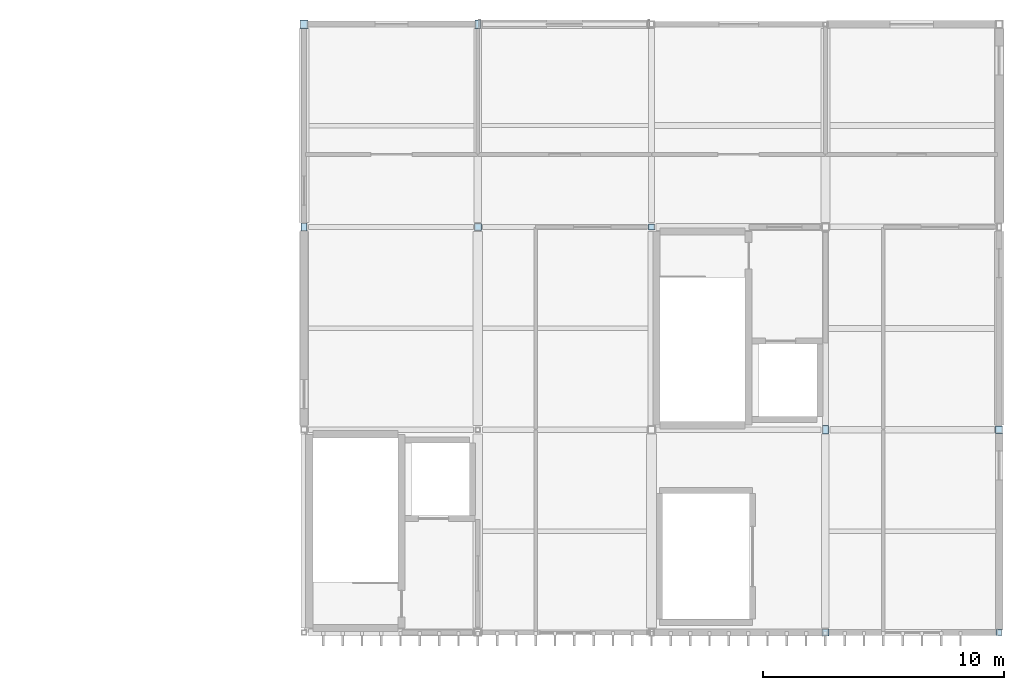
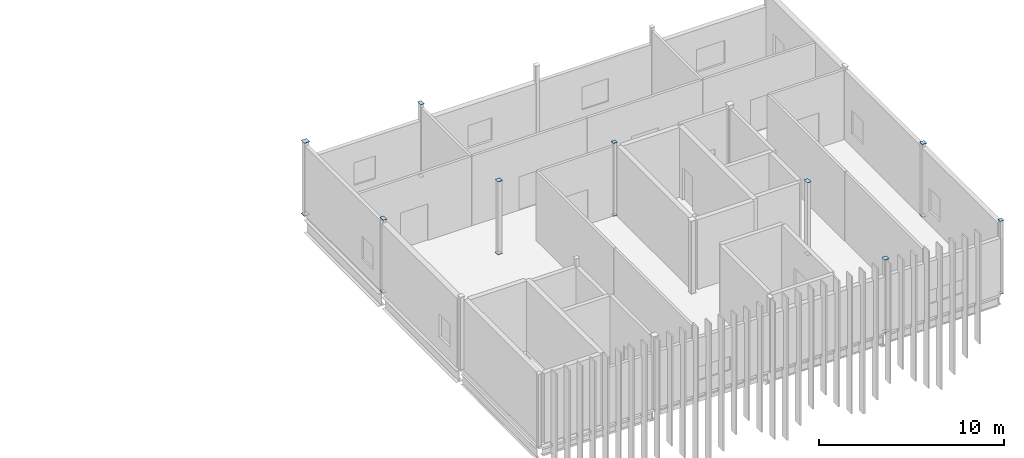
# One storey, part 16 of 27: 18 plates.
"""IFC4 building model written with IfcOpenShell, lengths in metres."""

from ifc_helpers import new_model, si_unit, direction, frame, origin, origin_2d, place, context, subcontext, project, spatial, rectangle, extrude, material, layer, layer_set, type_object, element, save


model = new_model("IFC4")

# Units and contexts
model_context = context("Model", 3, precision=1e-05, world=origin(), true_north=direction((0.0, 1.0)))
body_context = subcontext(model_context, "Body", "Model", "MODEL_VIEW")
ifc_project = project(units=[si_unit("LENGTHUNIT", "METRE"), si_unit("AREAUNIT", "SQUARE_METRE"), si_unit("VOLUMEUNIT", "CUBIC_METRE"), si_unit("PLANEANGLEUNIT", "RADIAN"), si_unit("MASSUNIT", "GRAM", prefix="KILO")], contexts=[model_context])

# Site, building, storey
site_placement = place(None, origin())
site = spatial("IfcSite", under=ifc_project, at=site_placement, CompositionType="ELEMENT")
building_placement = place(site_placement, origin())
building = spatial("IfcBuilding", under=site, at=building_placement, Name="Calvrana Isthmian Art Gallery", CompositionType="ELEMENT")
storey_placement = place(building_placement, frame((0.0, 0.0, 24.60009765625)))
storey = spatial("IfcBuildingStorey", under=building, at=storey_placement, Name="L05", CompositionType="ELEMENT", Elevation=24.60009765625)

# Plates
ifc_material = material(Name="Steel ASTM A572 Gr 50", Category="steel")
ifc_layer = layer(ifc_material, 0.01611328125, Name="Steel ASTM A572 Gr 50")
ifc_layer_set = layer_set([ifc_layer], Name="Steel ASTM A572 Gr 50")
plate_type = type_object("IfcPlateType", Name="PL-CAP-16", PredefinedType="SHEET", material=ifc_layer_set)
for number, where, z_axis, x_axis, name in (
    (1, (112.800048828125, 38.39990234375, -0.008056640625), (0.0, 0.0, 1.0), (1.0, 0.0, 0.0), "Hollow section end cap plate 265"),
    (2, (112.800048828125, 38.39990234375, 4.791748046875), (0.0, 0.0, 1.0), (1.0, 0.0, 0.0), "Hollow section end cap plate 266"),
):
    element("IfcPlate", number, at=place(storey_placement, frame(where, z_axis=z_axis, x_axis=x_axis)), inside=storey, type_object=plate_type, Name=name, PredefinedType="SHEET", context=body_context, shape_type="SweptSolid", body=[
        extrude(rectangle(XDim=0.2431640625, YDim=0.3447265625, at=origin_2d()), origin(), (0.0, 0.0, 1.0), 0.01611328125),
    ])
for number, where, z_axis, x_axis, name in (
    (3, (112.800048828125, 46.800048828125, -0.008056640625), (0.0, 0.0, 1.0), (1.0, 0.0, 0.0), "Hollow section end cap plate 267"),
    (4, (112.800048828125, 46.800048828125, 4.791748046875), (0.0, 0.0, 1.0), (1.0, 0.0, 0.0), "Hollow section end cap plate 268"),
):
    element("IfcPlate", number, at=place(storey_placement, frame(where, z_axis=z_axis, x_axis=x_axis)), inside=storey, type_object=plate_type, Name=name, PredefinedType="SHEET", context=body_context, shape_type="SweptSolid", body=[
        extrude(rectangle(XDim=0.3447265625, YDim=0.3447265625, at=origin_2d()), origin(), (0.0, 0.0, 1.0), 0.01611328125),
    ])
for number, where, z_axis, x_axis, name in (
    (5, (120.0, 38.39990234375, -0.008056640625), (0.0, 0.0, 1.0), (1.0, 0.0, 0.0), "Hollow section end cap plate 287"),
    (6, (120.0, 38.39990234375, 4.791748046875), (0.0, 0.0, 1.0), (1.0, 0.0, 0.0), "Hollow section end cap plate 288"),
):
    element("IfcPlate", number, at=place(storey_placement, frame(where, z_axis=z_axis, x_axis=x_axis)), inside=storey, type_object=plate_type, Name=name, PredefinedType="SHEET", context=body_context, shape_type="SweptSolid", body=[
        extrude(rectangle(XDim=0.2939453125, YDim=0.2939453125, at=origin_2d()), origin(), (0.0, 0.0, 1.0), 0.01611328125),
    ])
for number, where, z_axis, x_axis, name in (
    (7, (120.0, 46.800048828125, -0.008056640625), (0.0, 0.0, 1.0), (1.0, 0.0, 0.0), "Hollow section end cap plate 289"),
    (8, (120.0, 46.800048828125, 4.791748046875), (0.0, 0.0, 1.0), (1.0, 0.0, 0.0), "Hollow section end cap plate 290"),
):
    element("IfcPlate", number, at=place(storey_placement, frame(where, z_axis=z_axis, x_axis=x_axis)), inside=storey, type_object=plate_type, Name=name, PredefinedType="SHEET", context=body_context, shape_type="SweptSolid", body=[
        extrude(rectangle(XDim=0.2431640625, YDim=0.3447265625, at=origin_2d()), origin(), (0.0, 0.0, 1.0), 0.01611328125),
    ])
for number, where, z_axis, x_axis, name in (
    (9, (127.199951171875, 38.39990234375, -0.008056640625), (0.0, 0.0, 1.0), (1.0, 0.0, 0.0), "Hollow section end cap plate 301"),
    (10, (127.199951171875, 38.39990234375, 4.791748046875), (0.0, 0.0, 1.0), (1.0, 0.0, 0.0), "Hollow section end cap plate 302"),
):
    element("IfcPlate", number, at=place(storey_placement, frame(where, z_axis=z_axis, x_axis=x_axis)), inside=storey, type_object=plate_type, Name=name, PredefinedType="SHEET", context=body_context, shape_type="SweptSolid", body=[
        extrude(rectangle(XDim=0.2431640625, YDim=0.2431640625, at=origin_2d()), origin(), (0.0, 0.0, 1.0), 0.01611328125),
    ])
for number, where, z_axis, x_axis, name in (
    (11, (134.39990234375, 21.60009765625, -0.008056640625), (0.0, 0.0, 1.0), (1.0, 0.0, 0.0), "Hollow section end cap plate 311"),
    (12, (134.39990234375, 21.60009765625, 4.791748046875), (0.0, 0.0, 1.0), (1.0, 0.0, 0.0), "Hollow section end cap plate 312"),
):
    element("IfcPlate", number, at=place(storey_placement, frame(where, z_axis=z_axis, x_axis=x_axis)), inside=storey, type_object=plate_type, Name=name, PredefinedType="SHEET", context=body_context, shape_type="SweptSolid", body=[
        extrude(rectangle(XDim=0.2939453125, YDim=0.2939453125, at=origin_2d()), origin(), (0.0, 0.0, 1.0), 0.01611328125),
    ])
for number, where, z_axis, x_axis, name in (
    (13, (134.39990234375, 30.0, -0.008056640625), (0.0, 0.0, 1.0), (1.0, 0.0, 0.0), "Hollow section end cap plate 313"),
    (14, (134.39990234375, 30.0, 4.791748046875), (0.0, 0.0, 1.0), (1.0, 0.0, 0.0), "Hollow section end cap plate 314"),
):
    element("IfcPlate", number, at=place(storey_placement, frame(where, z_axis=z_axis, x_axis=x_axis)), inside=storey, type_object=plate_type, Name=name, PredefinedType="SHEET", context=body_context, shape_type="SweptSolid", body=[
        extrude(rectangle(XDim=0.2431640625, YDim=0.3447265625, at=origin_2d()), origin(), (0.0, 0.0, 1.0), 0.01611328125),
    ])
for number, where, z_axis, x_axis, name in (
    (15, (141.60009765625, 21.60009765625, -0.008056640625), (0.0, 0.0, 1.0), (1.0, 0.0, 0.0), "Hollow section end cap plate 325"),
    (16, (141.60009765625, 21.60009765625, 4.791748046875), (0.0, 0.0, 1.0), (1.0, 0.0, 0.0), "Hollow section end cap plate 326"),
):
    element("IfcPlate", number, at=place(storey_placement, frame(where, z_axis=z_axis, x_axis=x_axis)), inside=storey, type_object=plate_type, Name=name, PredefinedType="SHEET", context=body_context, shape_type="SweptSolid", body=[
        extrude(rectangle(XDim=0.2431640625, YDim=0.2431640625, at=origin_2d()), origin(), (0.0, 0.0, 1.0), 0.01611328125),
    ])
for number, where, z_axis, x_axis, name in (
    (17, (141.60009765625, 30.0, -0.008056640625), (0.0, 0.0, 1.0), (1.0, 0.0, 0.0), "Hollow section end cap plate 327"),
    (18, (141.60009765625, 30.0, 4.791748046875), (0.0, 0.0, 1.0), (1.0, 0.0, 0.0), "Hollow section end cap plate 328"),
):
    element("IfcPlate", number, at=place(storey_placement, frame(where, z_axis=z_axis, x_axis=x_axis)), inside=storey, type_object=plate_type, Name=name, PredefinedType="SHEET", context=body_context, shape_type="SweptSolid", body=[
        extrude(rectangle(XDim=0.2939453125, YDim=0.2939453125, at=origin_2d()), origin(), (0.0, 0.0, 1.0), 0.01611328125),
    ])

save(model, "model.ifc")
